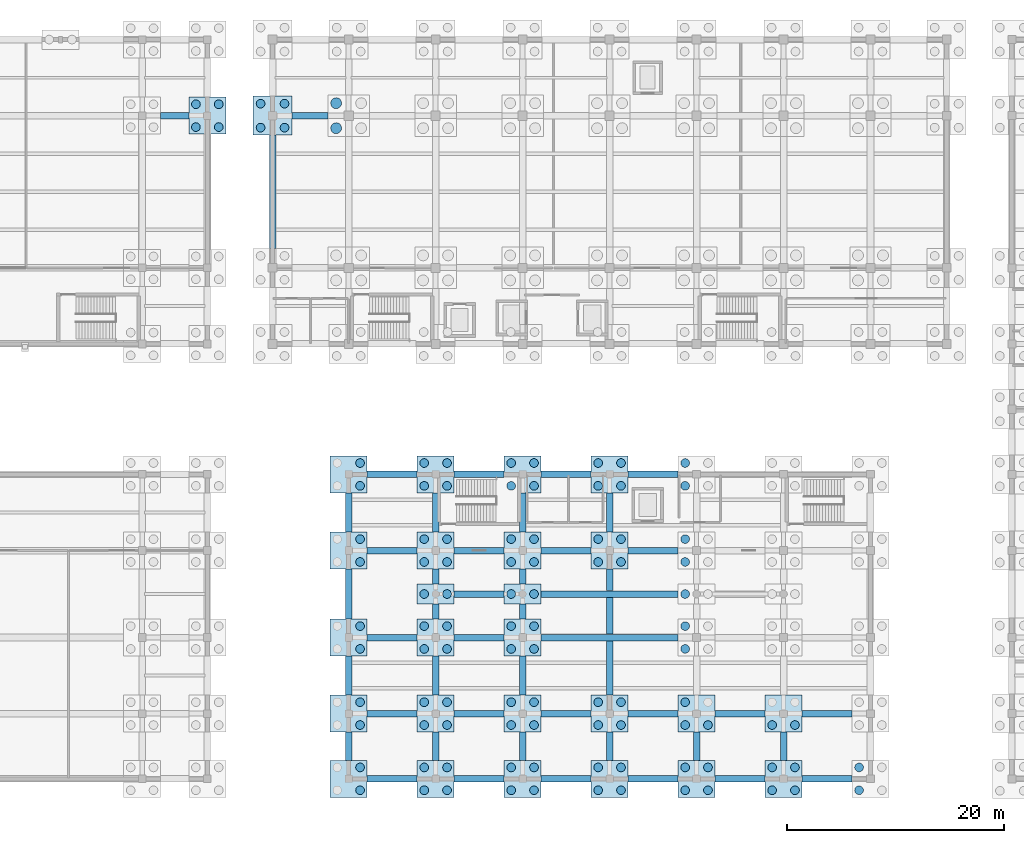
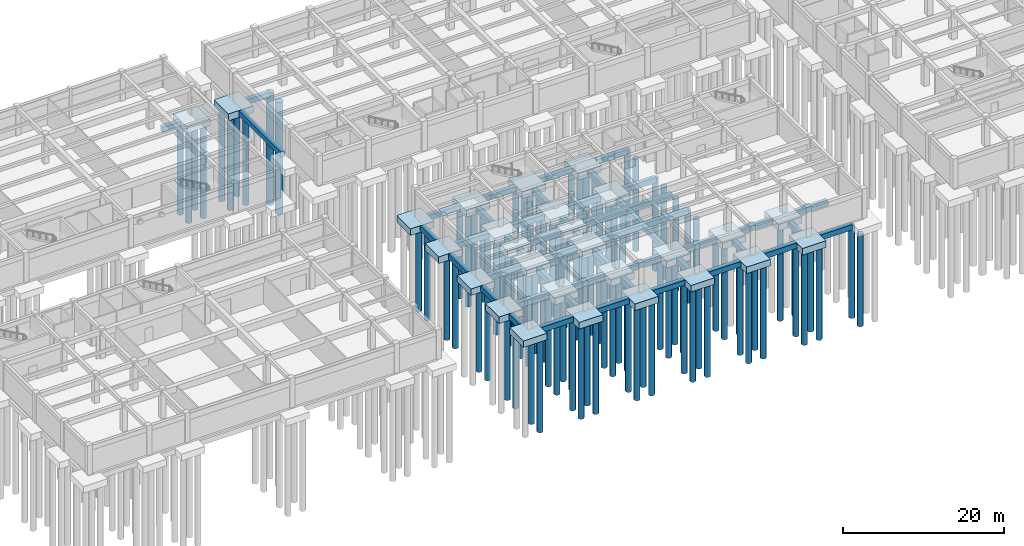
# One storey, part 3 of 28: 102 piles, 76 footings.
"""IFC4 building model written with IfcOpenShell, lengths in metres."""

from ifc_helpers import new_model, si_unit, direction, frame, origin, origin_2d, place, context, subcontext, project, spatial, rectangle, circle, extrude, material, material_profile, profile_set, type_object, element, save


model = new_model("IFC4")

# Units and contexts
model_context = context("Model", 3, precision=1e-05, world=origin(), true_north=direction((0.0, 1.0)))
body_context = subcontext(model_context, "Body", "Model", "MODEL_VIEW")
ifc_project = project(units=[si_unit("LENGTHUNIT", "METRE"), si_unit("AREAUNIT", "SQUARE_METRE"), si_unit("VOLUMEUNIT", "CUBIC_METRE"), si_unit("PLANEANGLEUNIT", "RADIAN"), si_unit("MASSUNIT", "GRAM", prefix="KILO")], contexts=[model_context])

# Site, building, storey
site_placement = place(None, origin())
site = spatial("IfcSite", under=ifc_project, at=site_placement, CompositionType="ELEMENT")
building_placement = place(site_placement, origin())
building = spatial("IfcBuilding", under=site, at=building_placement, Name="Naurynzar Civic Courthouse", CompositionType="ELEMENT")
storey_placement = place(building_placement, frame((0.0, 0.0, -4.5)))
storey = spatial("IfcBuildingStorey", under=building, at=storey_placement, Name="B01", CompositionType="ELEMENT", Elevation=-4.5)

# Footings
ifc_material_1 = material(Name="Concrete C35/45", Category="concrete")
footing_type_1 = type_object("IfcFootingType", Name="CAP-2A-3400x1800", PredefinedType="PILE_CAP", material=ifc_material_1)
for number, where, z_axis, x_axis, name in (
    (1, (77.0, 21.0, -1.39990234375), (0.0, 0.0, 1.0), (1.0, 0.0, 0.0), "V3 pile cap 35"),
    (2, (85.0, 21.0, -1.39990234375), (0.0, 0.0, 1.0), (1.0, 0.0, 0.0), "V3 pile cap 36"),
):
    element("IfcFooting", number, at=place(storey_placement, frame(where, z_axis=z_axis, x_axis=x_axis)), inside=storey, type_object=footing_type_1, Name=name, PredefinedType="PILE_CAP", context=body_context, shape_type="SweptSolid", body=[
        extrude(rectangle(XDim=3.39990234375, YDim=1.800048828125, at=origin_2d()), origin(), (0.0, 0.0, 1.0), 1.0),
    ])
ifc_material_2 = material(Name="Concrete C35/45", Category="concrete")
footing_type_2 = type_object("IfcFootingType", Name="CAP-4A-3400", PredefinedType="PILE_CAP", material=ifc_material_2)
for number, where, z_axis, x_axis, name in (
    (3, (56.0, 65.0, -1.39990234375), (0.0, 0.0, 1.0), (1.0, 0.0, 0.0), "V1 pile cap 23"),
    (4, (69.0, 4.0, -1.39990234375), (0.0, 0.0, 1.0), (1.0, 0.0, 0.0), "V3 pile cap 1"),
    (5, (69.0, 10.0, -1.39990234375), (0.0, 0.0, 1.0), (1.0, 0.0, 0.0), "V3 pile cap 2"),
    (6, (69.0, 17.0, -1.39990234375), (0.0, 0.0, 1.0), (1.0, 0.0, 0.0), "V3 pile cap 3"),
    (7, (69.0, 25.0, -1.39990234375), (0.0, 0.0, 1.0), (1.0, 0.0, 0.0), "V3 pile cap 4"),
    (8, (69.0, 32.0, -1.39990234375), (0.0, 0.0, 1.0), (1.0, 0.0, 0.0), "V3 pile cap 5"),
    (9, (77.0, 4.0, -1.39990234375), (0.0, 0.0, 1.0), (1.0, 0.0, 0.0), "V3 pile cap 6"),
    (10, (77.0, 10.0, -1.39990234375), (0.0, 0.0, 1.0), (1.0, 0.0, 0.0), "V3 pile cap 7"),
    (11, (77.0, 17.0, -1.39990234375), (0.0, 0.0, 1.0), (1.0, 0.0, 0.0), "V3 pile cap 8"),
    (12, (77.0, 25.0, -1.39990234375), (0.0, 0.0, 1.0), (1.0, 0.0, 0.0), "V3 pile cap 9"),
    (13, (77.0, 32.0, -1.39990234375), (0.0, 0.0, 1.0), (1.0, 0.0, 0.0), "V3 pile cap 10"),
    (14, (85.0, 4.0, -1.39990234375), (0.0, 0.0, 1.0), (1.0, 0.0, 0.0), "V3 pile cap 11"),
    (15, (85.0, 10.0, -1.39990234375), (0.0, 0.0, 1.0), (1.0, 0.0, 0.0), "V3 pile cap 12"),
    (16, (85.0, 17.0, -1.39990234375), (0.0, 0.0, 1.0), (1.0, 0.0, 0.0), "V3 pile cap 13"),
    (17, (85.0, 25.0, -1.39990234375), (0.0, 0.0, 1.0), (1.0, 0.0, 0.0), "V3 pile cap 14"),
    (18, (85.0, 32.0, -1.39990234375), (0.0, 0.0, 1.0), (1.0, 0.0, 0.0), "V3 pile cap 15"),
    (19, (93.0, 4.0, -1.39990234375), (0.0, 0.0, 1.0), (1.0, 0.0, 0.0), "V3 pile cap 16"),
    (20, (93.0, 10.0, -1.39990234375), (0.0, 0.0, 1.0), (1.0, 0.0, 0.0), "V3 pile cap 17"),
    (21, (93.0, 25.0, -1.39990234375), (0.0, 0.0, 1.0), (1.0, 0.0, 0.0), "V3 pile cap 18"),
    (22, (93.0, 32.0, -1.39990234375), (0.0, 0.0, 1.0), (1.0, 0.0, 0.0), "V3 pile cap 19"),
    (23, (101.0, 4.0, -1.39990234375), (0.0, 0.0, 1.0), (1.0, 0.0, 0.0), "V3 pile cap 20"),
    (24, (101.0, 10.0, -1.39990234375), (0.0, 0.0, 1.0), (1.0, 0.0, 0.0), "V3 pile cap 21"),
    (25, (109.0, 4.0, -1.39990234375), (0.0, 0.0, 1.0), (1.0, 0.0, 0.0), "V3 pile cap 25"),
    (26, (109.0, 10.0, -1.39990234375), (0.0, 0.0, 1.0), (1.0, 0.0, 0.0), "V3 pile cap 26"),
):
    element("IfcFooting", number, at=place(storey_placement, frame(where, z_axis=z_axis, x_axis=x_axis)), inside=storey, type_object=footing_type_2, Name=name, PredefinedType="PILE_CAP", context=body_context, shape_type="SweptSolid", body=[
        extrude(rectangle(XDim=3.39990234375, YDim=3.39990234375, at=origin_2d()), origin(), (0.0, 0.0, 1.0), 1.0),
    ])
ifc_material_3 = material(Name="Concrete C35/45", Category="concrete")
footing_type_3 = type_object("IfcFootingType", Name="CAP-4C-3600", PredefinedType="PILE_CAP", material=ifc_material_3)
footing_1_placement = place(storey_placement, frame((62.0, 65.0, -1.5), z_axis=(0.0, 0.0, 1.0), x_axis=(1.0, 0.0, 0.0)))
element("IfcFooting", 27, at=footing_1_placement, inside=storey, type_object=footing_type_3, Name="V2 pile cap 3", PredefinedType="PILE_CAP", context=body_context, shape_type="SweptSolid", body=[
    extrude(rectangle(XDim=3.60009765625, YDim=3.60009765625, at=origin_2d()), origin(), (0.0, 0.0, 1.0), 1.050048828125),
])
ifc_material_4 = material(Name="Concrete C35/45", Category="concrete")
ifc_material_profile_1 = material_profile(ifc_material_4, rectangle(XDim=0.60009765625, YDim=0.800048828125, at=origin_2d()), Name="GB 600x800")
ifc_profile_set_1 = profile_set([ifc_material_profile_1], Name="Concrete C35/45")
footing_type_4 = type_object("IfcFootingType", Name="GB-600x800", PredefinedType="FOOTING_BEAM", material=ifc_profile_set_1)
footing_2_placement = place(storey_placement, frame((51.699951171875, 65.0, -0.800048828125), z_axis=(1.0, 0.0, 0.0), x_axis=(0.0, 1.0, 0.0)))
element("IfcFooting", 28, at=footing_2_placement, inside=storey, type_object=footing_type_4, Name="V1 ground tie beam X-15", PredefinedType="FOOTING_BEAM", context=body_context, shape_type="SweptSolid", body=[
    extrude(rectangle(XDim=0.60009765625, YDim=0.800048828125, at=origin_2d()), origin(), (0.0, 0.0, 1.0), 2.60009765625),
])
footing_3_placement = place(storey_placement, frame((63.800048828125, 65.0, -0.85009765625), z_axis=(1.0, 0.0, 0.0), x_axis=(0.0, 1.0, 0.0)))
element("IfcFooting", 29, at=footing_3_placement, inside=storey, type_object=footing_type_4, Name="V2 ground tie beam X-17", PredefinedType="FOOTING_BEAM", context=body_context, shape_type="SweptSolid", body=[
    extrude(rectangle(XDim=0.60009765625, YDim=0.800048828125, at=origin_2d()), origin(), (0.0, 0.0, 1.0), 3.300048828125),
])
footing_4_placement = place(storey_placement, frame((62.0, 52.800048828125, -0.85009765625), z_axis=(0.0, 1.0, 0.0), x_axis=(-1.0, 0.0, 0.0)))
element("IfcFooting", 30, at=footing_4_placement, inside=storey, type_object=footing_type_4, Name="V2 ground tie beam Y-34", PredefinedType="FOOTING_BEAM", context=body_context, shape_type="SweptSolid", body=[
    extrude(rectangle(XDim=0.60009765625, YDim=0.800048828125, at=origin_2d()), origin(), (0.0, 0.0, 1.0), 10.39990234375),
])
for number, where, z_axis, x_axis, name in (
    (31, (70.699951171875, 4.0, -0.800048828125), (1.0, 0.0, 0.0), (0.0, 1.0, 0.0), "V3 ground tie beam X-1"),
    (32, (78.699951171875, 4.0, -0.800048828125), (1.0, 0.0, 0.0), (0.0, 1.0, 0.0), "V3 ground tie beam X-2"),
    (33, (86.699951171875, 4.0, -0.800048828125), (1.0, 0.0, 0.0), (0.0, 1.0, 0.0), "V3 ground tie beam X-3"),
    (34, (94.699951171875, 4.0, -0.800048828125), (1.0, 0.0, 0.0), (0.0, 1.0, 0.0), "V3 ground tie beam X-4"),
    (35, (102.699951171875, 4.0, -0.800048828125), (1.0, 0.0, 0.0), (0.0, 1.0, 0.0), "V3 ground tie beam X-5"),
    (36, (110.699951171875, 4.0, -0.800048828125), (1.0, 0.0, 0.0), (0.0, 1.0, 0.0), "V3 ground tie beam X-6"),
    (37, (70.699951171875, 10.0, -0.800048828125), (1.0, 0.0, 0.0), (0.0, 1.0, 0.0), "V3 ground tie beam X-7"),
    (38, (78.699951171875, 10.0, -0.800048828125), (1.0, 0.0, 0.0), (0.0, 1.0, 0.0), "V3 ground tie beam X-8"),
    (39, (86.699951171875, 10.0, -0.800048828125), (1.0, 0.0, 0.0), (0.0, 1.0, 0.0), "V3 ground tie beam X-9"),
    (40, (94.699951171875, 10.0, -0.800048828125), (1.0, 0.0, 0.0), (0.0, 1.0, 0.0), "V3 ground tie beam X-10"),
    (41, (102.699951171875, 10.0, -0.800048828125), (1.0, 0.0, 0.0), (0.0, 1.0, 0.0), "V3 ground tie beam X-11"),
    (42, (110.699951171875, 10.0, -0.800048828125), (1.0, 0.0, 0.0), (0.0, 1.0, 0.0), "V3 ground tie beam X-12"),
    (43, (70.699951171875, 17.0, -0.800048828125), (1.0, 0.0, 0.0), (0.0, 1.0, 0.0), "V3 ground tie beam X-13"),
    (44, (78.699951171875, 17.0, -0.800048828125), (1.0, 0.0, 0.0), (0.0, 1.0, 0.0), "V3 ground tie beam X-14"),
):
    element("IfcFooting", number, at=place(storey_placement, frame(where, z_axis=z_axis, x_axis=x_axis)), inside=storey, type_object=footing_type_4, Name=name, PredefinedType="FOOTING_BEAM", context=body_context, shape_type="SweptSolid", body=[
        extrude(rectangle(XDim=0.60009765625, YDim=0.800048828125, at=origin_2d()), origin(), (0.0, 0.0, 1.0), 4.60009765625),
    ])
footing_5_placement = place(storey_placement, frame((86.699951171875, 17.0, -0.800048828125), z_axis=(1.0, 0.0, 0.0), x_axis=(0.0, 1.0, 0.0)))
element("IfcFooting", 45, at=footing_5_placement, inside=storey, type_object=footing_type_4, Name="V3 ground tie beam X-15", PredefinedType="FOOTING_BEAM", context=body_context, shape_type="SweptSolid", body=[
    extrude(rectangle(XDim=0.60009765625, YDim=0.800048828125, at=origin_2d()), origin(), (0.0, 0.0, 1.0), 12.60009765625),
])
footing_6_placement = place(storey_placement, frame((78.699951171875, 21.0, -0.800048828125), z_axis=(1.0, 0.0, 0.0), x_axis=(0.0, 1.0, 0.0)))
element("IfcFooting", 46, at=footing_6_placement, inside=storey, type_object=footing_type_4, Name="V3 ground tie beam X-18", PredefinedType="FOOTING_BEAM", context=body_context, shape_type="SweptSolid", body=[
    extrude(rectangle(XDim=0.60009765625, YDim=0.800048828125, at=origin_2d()), origin(), (0.0, 0.0, 1.0), 4.60009765625),
])
footing_7_placement = place(storey_placement, frame((86.699951171875, 21.0, -0.800048828125), z_axis=(1.0, 0.0, 0.0), x_axis=(0.0, 1.0, 0.0)))
element("IfcFooting", 47, at=footing_7_placement, inside=storey, type_object=footing_type_4, Name="V3 ground tie beam X-19", PredefinedType="FOOTING_BEAM", context=body_context, shape_type="SweptSolid", body=[
    extrude(rectangle(XDim=0.60009765625, YDim=0.800048828125, at=origin_2d()), origin(), (0.0, 0.0, 1.0), 12.60009765625),
])
for number, where, z_axis, x_axis, name in (
    (48, (70.699951171875, 25.0, -0.800048828125), (1.0, 0.0, 0.0), (0.0, 1.0, 0.0), "V3 ground tie beam X-21"),
    (49, (78.699951171875, 25.0, -0.800048828125), (1.0, 0.0, 0.0), (0.0, 1.0, 0.0), "V3 ground tie beam X-22"),
    (50, (86.699951171875, 25.0, -0.800048828125), (1.0, 0.0, 0.0), (0.0, 1.0, 0.0), "V3 ground tie beam X-23"),
    (51, (94.699951171875, 25.0, -0.800048828125), (1.0, 0.0, 0.0), (0.0, 1.0, 0.0), "V3 ground tie beam X-24"),
    (52, (70.699951171875, 32.0, -0.800048828125), (1.0, 0.0, 0.0), (0.0, 1.0, 0.0), "V3 ground tie beam X-27"),
    (53, (78.699951171875, 32.0, -0.800048828125), (1.0, 0.0, 0.0), (0.0, 1.0, 0.0), "V3 ground tie beam X-28"),
    (54, (86.699951171875, 32.0, -0.800048828125), (1.0, 0.0, 0.0), (0.0, 1.0, 0.0), "V3 ground tie beam X-29"),
    (55, (94.699951171875, 32.0, -0.800048828125), (1.0, 0.0, 0.0), (0.0, 1.0, 0.0), "V3 ground tie beam X-30"),
):
    element("IfcFooting", number, at=place(storey_placement, frame(where, z_axis=z_axis, x_axis=x_axis)), inside=storey, type_object=footing_type_4, Name=name, PredefinedType="FOOTING_BEAM", context=body_context, shape_type="SweptSolid", body=[
        extrude(rectangle(XDim=0.60009765625, YDim=0.800048828125, at=origin_2d()), origin(), (0.0, 0.0, 1.0), 4.60009765625),
    ])
footing_8_placement = place(storey_placement, frame((69.0, 5.699951171875, -0.800048828125), z_axis=(0.0, 1.0, 0.0), x_axis=(-1.0, 0.0, 0.0)))
element("IfcFooting", 56, at=footing_8_placement, inside=storey, type_object=footing_type_4, Name="V3 ground tie beam Y-33", PredefinedType="FOOTING_BEAM", context=body_context, shape_type="SweptSolid", body=[
    extrude(rectangle(XDim=0.60009765625, YDim=0.800048828125, at=origin_2d()), origin(), (0.0, 0.0, 1.0), 2.60009765625),
])
footing_9_placement = place(storey_placement, frame((69.0, 11.699951171875, -0.800048828125), z_axis=(0.0, 1.0, 0.0), x_axis=(-1.0, 0.0, 0.0)))
element("IfcFooting", 57, at=footing_9_placement, inside=storey, type_object=footing_type_4, Name="V3 ground tie beam Y-34", PredefinedType="FOOTING_BEAM", context=body_context, shape_type="SweptSolid", body=[
    extrude(rectangle(XDim=0.60009765625, YDim=0.800048828125, at=origin_2d()), origin(), (0.0, 0.0, 1.0), 3.60009765625),
])
footing_10_placement = place(storey_placement, frame((69.0, 18.699951171875, -0.800048828125), z_axis=(0.0, 1.0, 0.0), x_axis=(-1.0, 0.0, 0.0)))
element("IfcFooting", 58, at=footing_10_placement, inside=storey, type_object=footing_type_4, Name="V3 ground tie beam Y-35", PredefinedType="FOOTING_BEAM", context=body_context, shape_type="SweptSolid", body=[
    extrude(rectangle(XDim=0.60009765625, YDim=0.800048828125, at=origin_2d()), origin(), (0.0, 0.0, 1.0), 4.60009765625),
])
footing_11_placement = place(storey_placement, frame((69.0, 26.699951171875, -0.800048828125), z_axis=(0.0, 1.0, 0.0), x_axis=(-1.0, 0.0, 0.0)))
element("IfcFooting", 59, at=footing_11_placement, inside=storey, type_object=footing_type_4, Name="V3 ground tie beam Y-36", PredefinedType="FOOTING_BEAM", context=body_context, shape_type="SweptSolid", body=[
    extrude(rectangle(XDim=0.60009765625, YDim=0.800048828125, at=origin_2d()), origin(), (0.0, 0.0, 1.0), 3.60009765625),
])
footing_12_placement = place(storey_placement, frame((77.0, 5.699951171875, -0.800048828125), z_axis=(0.0, 1.0, 0.0), x_axis=(-1.0, 0.0, 0.0)))
element("IfcFooting", 60, at=footing_12_placement, inside=storey, type_object=footing_type_4, Name="V3 ground tie beam Y-37", PredefinedType="FOOTING_BEAM", context=body_context, shape_type="SweptSolid", body=[
    extrude(rectangle(XDim=0.60009765625, YDim=0.800048828125, at=origin_2d()), origin(), (0.0, 0.0, 1.0), 2.60009765625),
])
footing_13_placement = place(storey_placement, frame((77.0, 11.699951171875, -0.800048828125), z_axis=(0.0, 1.0, 0.0), x_axis=(-1.0, 0.0, 0.0)))
element("IfcFooting", 61, at=footing_13_placement, inside=storey, type_object=footing_type_4, Name="V3 ground tie beam Y-38", PredefinedType="FOOTING_BEAM", context=body_context, shape_type="SweptSolid", body=[
    extrude(rectangle(XDim=0.60009765625, YDim=0.800048828125, at=origin_2d()), origin(), (0.0, 0.0, 1.0), 3.60009765625),
])
for number, where, z_axis, x_axis, name in (
    (62, (77.0, 18.699951171875, -0.800048828125), (0.0, 1.0, 0.0), (-1.0, 0.0, 0.0), "V3 ground tie beam Y-39"),
    (63, (77.0, 21.89990234375, -0.800048828125), (0.0, 1.0, 0.0), (-1.0, 0.0, 0.0), "V3 ground tie beam Y-40"),
):
    element("IfcFooting", number, at=place(storey_placement, frame(where, z_axis=z_axis, x_axis=x_axis)), inside=storey, type_object=footing_type_4, Name=name, PredefinedType="FOOTING_BEAM", context=body_context, shape_type="SweptSolid", body=[
        extrude(rectangle(XDim=0.60009765625, YDim=0.800048828125, at=origin_2d()), origin(), (0.0, 0.0, 1.0), 1.400146484375),
    ])
footing_14_placement = place(storey_placement, frame((77.0, 26.699951171875, -0.800048828125), z_axis=(0.0, 1.0, 0.0), x_axis=(-1.0, 0.0, 0.0)))
element("IfcFooting", 64, at=footing_14_placement, inside=storey, type_object=footing_type_4, Name="V3 ground tie beam Y-41", PredefinedType="FOOTING_BEAM", context=body_context, shape_type="SweptSolid", body=[
    extrude(rectangle(XDim=0.60009765625, YDim=0.800048828125, at=origin_2d()), origin(), (0.0, 0.0, 1.0), 3.60009765625),
])
footing_15_placement = place(storey_placement, frame((85.0, 5.699951171875, -0.800048828125), z_axis=(0.0, 1.0, 0.0), x_axis=(-1.0, 0.0, 0.0)))
element("IfcFooting", 65, at=footing_15_placement, inside=storey, type_object=footing_type_4, Name="V3 ground tie beam Y-42", PredefinedType="FOOTING_BEAM", context=body_context, shape_type="SweptSolid", body=[
    extrude(rectangle(XDim=0.60009765625, YDim=0.800048828125, at=origin_2d()), origin(), (0.0, 0.0, 1.0), 2.60009765625),
])
footing_16_placement = place(storey_placement, frame((85.0, 11.699951171875, -0.800048828125), z_axis=(0.0, 1.0, 0.0), x_axis=(-1.0, 0.0, 0.0)))
element("IfcFooting", 66, at=footing_16_placement, inside=storey, type_object=footing_type_4, Name="V3 ground tie beam Y-43", PredefinedType="FOOTING_BEAM", context=body_context, shape_type="SweptSolid", body=[
    extrude(rectangle(XDim=0.60009765625, YDim=0.800048828125, at=origin_2d()), origin(), (0.0, 0.0, 1.0), 3.60009765625),
])
for number, where, z_axis, x_axis, name in (
    (67, (85.0, 18.699951171875, -0.800048828125), (0.0, 1.0, 0.0), (-1.0, 0.0, 0.0), "V3 ground tie beam Y-44"),
    (68, (85.0, 21.89990234375, -0.800048828125), (0.0, 1.0, 0.0), (-1.0, 0.0, 0.0), "V3 ground tie beam Y-45"),
):
    element("IfcFooting", number, at=place(storey_placement, frame(where, z_axis=z_axis, x_axis=x_axis)), inside=storey, type_object=footing_type_4, Name=name, PredefinedType="FOOTING_BEAM", context=body_context, shape_type="SweptSolid", body=[
        extrude(rectangle(XDim=0.60009765625, YDim=0.800048828125, at=origin_2d()), origin(), (0.0, 0.0, 1.0), 1.400146484375),
    ])
footing_17_placement = place(storey_placement, frame((85.0, 26.699951171875, -0.800048828125), z_axis=(0.0, 1.0, 0.0), x_axis=(-1.0, 0.0, 0.0)))
element("IfcFooting", 69, at=footing_17_placement, inside=storey, type_object=footing_type_4, Name="V3 ground tie beam Y-46", PredefinedType="FOOTING_BEAM", context=body_context, shape_type="SweptSolid", body=[
    extrude(rectangle(XDim=0.60009765625, YDim=0.800048828125, at=origin_2d()), origin(), (0.0, 0.0, 1.0), 3.60009765625),
])
footing_18_placement = place(storey_placement, frame((93.0, 5.699951171875, -0.800048828125), z_axis=(0.0, 1.0, 0.0), x_axis=(-1.0, 0.0, 0.0)))
element("IfcFooting", 70, at=footing_18_placement, inside=storey, type_object=footing_type_4, Name="V3 ground tie beam Y-47", PredefinedType="FOOTING_BEAM", context=body_context, shape_type="SweptSolid", body=[
    extrude(rectangle(XDim=0.60009765625, YDim=0.800048828125, at=origin_2d()), origin(), (0.0, 0.0, 1.0), 2.60009765625),
])
footing_19_placement = place(storey_placement, frame((93.0, 11.699951171875, -0.800048828125), z_axis=(0.0, 1.0, 0.0), x_axis=(-1.0, 0.0, 0.0)))
element("IfcFooting", 71, at=footing_19_placement, inside=storey, type_object=footing_type_4, Name="V3 ground tie beam Y-48", PredefinedType="FOOTING_BEAM", context=body_context, shape_type="SweptSolid", body=[
    extrude(rectangle(XDim=0.60009765625, YDim=0.800048828125, at=origin_2d()), origin(), (0.0, 0.0, 1.0), 4.9951171875),
])
footing_20_placement = place(storey_placement, frame((93.0, 17.304931640625, -0.800048828125), z_axis=(0.0, 1.0, 0.0), x_axis=(-1.0, 0.0, 0.0)))
element("IfcFooting", 72, at=footing_20_placement, inside=storey, type_object=footing_type_4, Name="V3 ground tie beam Y-49", PredefinedType="FOOTING_BEAM", context=body_context, shape_type="SweptSolid", body=[
    extrude(rectangle(XDim=0.60009765625, YDim=0.800048828125, at=origin_2d()), origin(), (0.0, 0.0, 1.0), 3.39013671875),
])
footing_21_placement = place(storey_placement, frame((93.0, 21.304931640625, -0.800048828125), z_axis=(0.0, 1.0, 0.0), x_axis=(-1.0, 0.0, 0.0)))
element("IfcFooting", 73, at=footing_21_placement, inside=storey, type_object=footing_type_4, Name="V3 ground tie beam Y-50", PredefinedType="FOOTING_BEAM", context=body_context, shape_type="SweptSolid", body=[
    extrude(rectangle(XDim=0.60009765625, YDim=0.800048828125, at=origin_2d()), origin(), (0.0, 0.0, 1.0), 1.9951171875),
])
footing_22_placement = place(storey_placement, frame((93.0, 26.699951171875, -0.800048828125), z_axis=(0.0, 1.0, 0.0), x_axis=(-1.0, 0.0, 0.0)))
element("IfcFooting", 74, at=footing_22_placement, inside=storey, type_object=footing_type_4, Name="V3 ground tie beam Y-51", PredefinedType="FOOTING_BEAM", context=body_context, shape_type="SweptSolid", body=[
    extrude(rectangle(XDim=0.60009765625, YDim=0.800048828125, at=origin_2d()), origin(), (0.0, 0.0, 1.0), 3.60009765625),
])
for number, where, z_axis, x_axis, name in (
    (75, (101.0, 5.699951171875, -0.800048828125), (0.0, 1.0, 0.0), (-1.0, 0.0, 0.0), "V3 ground tie beam Y-52"),
    (76, (109.0, 5.699951171875, -0.800048828125), (0.0, 1.0, 0.0), (-1.0, 0.0, 0.0), "V3 ground tie beam Y-57"),
):
    element("IfcFooting", number, at=place(storey_placement, frame(where, z_axis=z_axis, x_axis=x_axis)), inside=storey, type_object=footing_type_4, Name=name, PredefinedType="FOOTING_BEAM", context=body_context, shape_type="SweptSolid", body=[
        extrude(rectangle(XDim=0.60009765625, YDim=0.800048828125, at=origin_2d()), origin(), (0.0, 0.0, 1.0), 2.60009765625),
    ])

# Piles
ifc_material_5 = material(Name="Concrete C35/45", Category="concrete")
ifc_material_profile_2 = material_profile(ifc_material_5, circle(Radius=0.5, at=origin_2d()), Name="PILE D1000")
ifc_profile_set_2 = profile_set([ifc_material_profile_2], Name="Concrete C35/45")
pile_type_1 = type_object("IfcPileType", Name="PILE-BORED-D1000", PredefinedType="BORED", material=ifc_profile_set_2)
for number, where, z_axis, x_axis, name in (
    (77, (67.85009765625, 63.85009765625, -1.449951171875), (0.0, 0.0, -1.0), (1.0, 0.0, 0.0), "V2 bored pile 7.1"),
    (78, (67.85009765625, 66.14990234375, -1.449951171875), (0.0, 0.0, -1.0), (1.0, 0.0, 0.0), "V2 bored pile 7.3"),
):
    element("IfcPile", number, at=place(storey_placement, frame(where, z_axis=z_axis, x_axis=x_axis)), inside=storey, type_object=pile_type_1, Name=name, PredefinedType="BORED", context=body_context, shape_type="SweptSolid", body=[
        extrude(circle(Radius=0.5, at=origin_2d()), origin(), (0.0, 0.0, 1.0), 17.0),
    ])
ifc_material_6 = material(Name="Concrete C35/45", Category="concrete")
ifc_material_profile_3 = material_profile(ifc_material_6, circle(Radius=0.39990234375, at=origin_2d()), Name="PILE D800")
ifc_profile_set_3 = profile_set([ifc_material_profile_3], Name="Concrete C35/45")
pile_type_2 = type_object("IfcPileType", Name="PILE-BORED-D800", PredefinedType="BORED", material=ifc_profile_set_3)
for number, where, z_axis, x_axis, name in (
    (79, (54.949951171875, 63.949951171875, -1.39990234375), (0.0, 0.0, -1.0), (1.0, 0.0, 0.0), "V1 bored pile 23.1"),
    (80, (57.050048828125, 63.949951171875, -1.39990234375), (0.0, 0.0, -1.0), (1.0, 0.0, 0.0), "V1 bored pile 23.2"),
    (81, (54.949951171875, 66.050048828125, -1.39990234375), (0.0, 0.0, -1.0), (1.0, 0.0, 0.0), "V1 bored pile 23.3"),
    (82, (57.050048828125, 66.050048828125, -1.39990234375), (0.0, 0.0, -1.0), (1.0, 0.0, 0.0), "V1 bored pile 23.4"),
    (83, (60.89990234375, 63.89990234375, -1.5), (0.0, 0.0, -1.0), (1.0, 0.0, 0.0), "V2 bored pile 3.1"),
    (84, (63.10009765625, 63.89990234375, -1.5), (0.0, 0.0, -1.0), (1.0, 0.0, 0.0), "V2 bored pile 3.2"),
    (85, (60.89990234375, 66.10009765625, -1.5), (0.0, 0.0, -1.0), (1.0, 0.0, 0.0), "V2 bored pile 3.3"),
    (86, (63.10009765625, 66.10009765625, -1.5), (0.0, 0.0, -1.0), (1.0, 0.0, 0.0), "V2 bored pile 3.4"),
    (87, (70.050048828125, 2.949951171875, -1.39990234375), (0.0, 0.0, -1.0), (1.0, 0.0, 0.0), "V3 bored pile 1.2"),
    (88, (70.050048828125, 5.050048828125, -1.39990234375), (0.0, 0.0, -1.0), (1.0, 0.0, 0.0), "V3 bored pile 1.4"),
    (89, (70.050048828125, 8.949951171875, -1.39990234375), (0.0, 0.0, -1.0), (1.0, 0.0, 0.0), "V3 bored pile 2.2"),
    (90, (70.050048828125, 11.050048828125, -1.39990234375), (0.0, 0.0, -1.0), (1.0, 0.0, 0.0), "V3 bored pile 2.4"),
    (91, (70.050048828125, 15.949951171875, -1.39990234375), (0.0, 0.0, -1.0), (1.0, 0.0, 0.0), "V3 bored pile 3.2"),
    (92, (70.050048828125, 18.050048828125, -1.39990234375), (0.0, 0.0, -1.0), (1.0, 0.0, 0.0), "V3 bored pile 3.4"),
    (93, (70.050048828125, 23.949951171875, -1.39990234375), (0.0, 0.0, -1.0), (1.0, 0.0, 0.0), "V3 bored pile 4.2"),
    (94, (70.050048828125, 26.050048828125, -1.39990234375), (0.0, 0.0, -1.0), (1.0, 0.0, 0.0), "V3 bored pile 4.4"),
    (95, (70.050048828125, 30.949951171875, -1.39990234375), (0.0, 0.0, -1.0), (1.0, 0.0, 0.0), "V3 bored pile 5.2"),
    (96, (70.050048828125, 33.050048828125, -1.39990234375), (0.0, 0.0, -1.0), (1.0, 0.0, 0.0), "V3 bored pile 5.4"),
    (97, (75.949951171875, 2.949951171875, -1.39990234375), (0.0, 0.0, -1.0), (1.0, 0.0, 0.0), "V3 bored pile 6.1"),
    (98, (78.050048828125, 2.949951171875, -1.39990234375), (0.0, 0.0, -1.0), (1.0, 0.0, 0.0), "V3 bored pile 6.2"),
    (99, (75.949951171875, 5.050048828125, -1.39990234375), (0.0, 0.0, -1.0), (1.0, 0.0, 0.0), "V3 bored pile 6.3"),
    (100, (78.050048828125, 5.050048828125, -1.39990234375), (0.0, 0.0, -1.0), (1.0, 0.0, 0.0), "V3 bored pile 6.4"),
    (101, (75.949951171875, 8.949951171875, -1.39990234375), (0.0, 0.0, -1.0), (1.0, 0.0, 0.0), "V3 bored pile 7.1"),
    (102, (78.050048828125, 8.949951171875, -1.39990234375), (0.0, 0.0, -1.0), (1.0, 0.0, 0.0), "V3 bored pile 7.2"),
    (103, (75.949951171875, 11.050048828125, -1.39990234375), (0.0, 0.0, -1.0), (1.0, 0.0, 0.0), "V3 bored pile 7.3"),
    (104, (78.050048828125, 11.050048828125, -1.39990234375), (0.0, 0.0, -1.0), (1.0, 0.0, 0.0), "V3 bored pile 7.4"),
    (105, (75.949951171875, 15.949951171875, -1.39990234375), (0.0, 0.0, -1.0), (1.0, 0.0, 0.0), "V3 bored pile 8.1"),
    (106, (78.050048828125, 15.949951171875, -1.39990234375), (0.0, 0.0, -1.0), (1.0, 0.0, 0.0), "V3 bored pile 8.2"),
    (107, (75.949951171875, 18.050048828125, -1.39990234375), (0.0, 0.0, -1.0), (1.0, 0.0, 0.0), "V3 bored pile 8.3"),
    (108, (78.050048828125, 18.050048828125, -1.39990234375), (0.0, 0.0, -1.0), (1.0, 0.0, 0.0), "V3 bored pile 8.4"),
    (109, (75.949951171875, 23.949951171875, -1.39990234375), (0.0, 0.0, -1.0), (1.0, 0.0, 0.0), "V3 bored pile 9.1"),
    (110, (78.050048828125, 23.949951171875, -1.39990234375), (0.0, 0.0, -1.0), (1.0, 0.0, 0.0), "V3 bored pile 9.2"),
    (111, (75.949951171875, 26.050048828125, -1.39990234375), (0.0, 0.0, -1.0), (1.0, 0.0, 0.0), "V3 bored pile 9.3"),
    (112, (78.050048828125, 26.050048828125, -1.39990234375), (0.0, 0.0, -1.0), (1.0, 0.0, 0.0), "V3 bored pile 9.4"),
    (113, (75.949951171875, 30.949951171875, -1.39990234375), (0.0, 0.0, -1.0), (1.0, 0.0, 0.0), "V3 bored pile 10.1"),
    (114, (78.050048828125, 30.949951171875, -1.39990234375), (0.0, 0.0, -1.0), (1.0, 0.0, 0.0), "V3 bored pile 10.2"),
    (115, (75.949951171875, 33.050048828125, -1.39990234375), (0.0, 0.0, -1.0), (1.0, 0.0, 0.0), "V3 bored pile 10.3"),
    (116, (78.050048828125, 33.050048828125, -1.39990234375), (0.0, 0.0, -1.0), (1.0, 0.0, 0.0), "V3 bored pile 10.4"),
    (117, (83.949951171875, 2.949951171875, -1.39990234375), (0.0, 0.0, -1.0), (1.0, 0.0, 0.0), "V3 bored pile 11.1"),
    (118, (86.050048828125, 2.949951171875, -1.39990234375), (0.0, 0.0, -1.0), (1.0, 0.0, 0.0), "V3 bored pile 11.2"),
    (119, (83.949951171875, 5.050048828125, -1.39990234375), (0.0, 0.0, -1.0), (1.0, 0.0, 0.0), "V3 bored pile 11.3"),
    (120, (86.050048828125, 5.050048828125, -1.39990234375), (0.0, 0.0, -1.0), (1.0, 0.0, 0.0), "V3 bored pile 11.4"),
    (121, (83.949951171875, 8.949951171875, -1.39990234375), (0.0, 0.0, -1.0), (1.0, 0.0, 0.0), "V3 bored pile 12.1"),
    (122, (86.050048828125, 8.949951171875, -1.39990234375), (0.0, 0.0, -1.0), (1.0, 0.0, 0.0), "V3 bored pile 12.2"),
    (123, (83.949951171875, 11.050048828125, -1.39990234375), (0.0, 0.0, -1.0), (1.0, 0.0, 0.0), "V3 bored pile 12.3"),
    (124, (86.050048828125, 11.050048828125, -1.39990234375), (0.0, 0.0, -1.0), (1.0, 0.0, 0.0), "V3 bored pile 12.4"),
    (125, (83.949951171875, 15.949951171875, -1.39990234375), (0.0, 0.0, -1.0), (1.0, 0.0, 0.0), "V3 bored pile 13.1"),
    (126, (86.050048828125, 15.949951171875, -1.39990234375), (0.0, 0.0, -1.0), (1.0, 0.0, 0.0), "V3 bored pile 13.2"),
    (127, (83.949951171875, 18.050048828125, -1.39990234375), (0.0, 0.0, -1.0), (1.0, 0.0, 0.0), "V3 bored pile 13.3"),
    (128, (86.050048828125, 18.050048828125, -1.39990234375), (0.0, 0.0, -1.0), (1.0, 0.0, 0.0), "V3 bored pile 13.4"),
    (129, (83.949951171875, 23.949951171875, -1.39990234375), (0.0, 0.0, -1.0), (1.0, 0.0, 0.0), "V3 bored pile 14.1"),
    (130, (86.050048828125, 23.949951171875, -1.39990234375), (0.0, 0.0, -1.0), (1.0, 0.0, 0.0), "V3 bored pile 14.2"),
    (131, (83.949951171875, 26.050048828125, -1.39990234375), (0.0, 0.0, -1.0), (1.0, 0.0, 0.0), "V3 bored pile 14.3"),
    (132, (86.050048828125, 26.050048828125, -1.39990234375), (0.0, 0.0, -1.0), (1.0, 0.0, 0.0), "V3 bored pile 14.4"),
    (133, (83.949951171875, 30.949951171875, -1.39990234375), (0.0, 0.0, -1.0), (1.0, 0.0, 0.0), "V3 bored pile 15.1"),
    (134, (86.050048828125, 30.949951171875, -1.39990234375), (0.0, 0.0, -1.0), (1.0, 0.0, 0.0), "V3 bored pile 15.2"),
    (135, (83.949951171875, 33.050048828125, -1.39990234375), (0.0, 0.0, -1.0), (1.0, 0.0, 0.0), "V3 bored pile 15.3"),
    (136, (86.050048828125, 33.050048828125, -1.39990234375), (0.0, 0.0, -1.0), (1.0, 0.0, 0.0), "V3 bored pile 15.4"),
    (137, (91.949951171875, 2.949951171875, -1.39990234375), (0.0, 0.0, -1.0), (1.0, 0.0, 0.0), "V3 bored pile 16.1"),
    (138, (94.050048828125, 2.949951171875, -1.39990234375), (0.0, 0.0, -1.0), (1.0, 0.0, 0.0), "V3 bored pile 16.2"),
    (139, (91.949951171875, 5.050048828125, -1.39990234375), (0.0, 0.0, -1.0), (1.0, 0.0, 0.0), "V3 bored pile 16.3"),
    (140, (94.050048828125, 5.050048828125, -1.39990234375), (0.0, 0.0, -1.0), (1.0, 0.0, 0.0), "V3 bored pile 16.4"),
    (141, (91.949951171875, 8.949951171875, -1.39990234375), (0.0, 0.0, -1.0), (1.0, 0.0, 0.0), "V3 bored pile 17.1"),
    (142, (94.050048828125, 8.949951171875, -1.39990234375), (0.0, 0.0, -1.0), (1.0, 0.0, 0.0), "V3 bored pile 17.2"),
    (143, (91.949951171875, 11.050048828125, -1.39990234375), (0.0, 0.0, -1.0), (1.0, 0.0, 0.0), "V3 bored pile 17.3"),
    (144, (94.050048828125, 11.050048828125, -1.39990234375), (0.0, 0.0, -1.0), (1.0, 0.0, 0.0), "V3 bored pile 17.4"),
    (145, (91.949951171875, 23.949951171875, -1.39990234375), (0.0, 0.0, -1.0), (1.0, 0.0, 0.0), "V3 bored pile 18.1"),
    (146, (94.050048828125, 23.949951171875, -1.39990234375), (0.0, 0.0, -1.0), (1.0, 0.0, 0.0), "V3 bored pile 18.2"),
    (147, (91.949951171875, 26.050048828125, -1.39990234375), (0.0, 0.0, -1.0), (1.0, 0.0, 0.0), "V3 bored pile 18.3"),
    (148, (94.050048828125, 26.050048828125, -1.39990234375), (0.0, 0.0, -1.0), (1.0, 0.0, 0.0), "V3 bored pile 18.4"),
    (149, (91.949951171875, 30.949951171875, -1.39990234375), (0.0, 0.0, -1.0), (1.0, 0.0, 0.0), "V3 bored pile 19.1"),
    (150, (94.050048828125, 30.949951171875, -1.39990234375), (0.0, 0.0, -1.0), (1.0, 0.0, 0.0), "V3 bored pile 19.2"),
    (151, (91.949951171875, 33.050048828125, -1.39990234375), (0.0, 0.0, -1.0), (1.0, 0.0, 0.0), "V3 bored pile 19.3"),
    (152, (94.050048828125, 33.050048828125, -1.39990234375), (0.0, 0.0, -1.0), (1.0, 0.0, 0.0), "V3 bored pile 19.4"),
    (153, (99.949951171875, 2.949951171875, -1.39990234375), (0.0, 0.0, -1.0), (1.0, 0.0, 0.0), "V3 bored pile 20.1"),
    (154, (102.050048828125, 2.949951171875, -1.39990234375), (0.0, 0.0, -1.0), (1.0, 0.0, 0.0), "V3 bored pile 20.2"),
    (155, (99.949951171875, 5.050048828125, -1.39990234375), (0.0, 0.0, -1.0), (1.0, 0.0, 0.0), "V3 bored pile 20.3"),
    (156, (102.050048828125, 5.050048828125, -1.39990234375), (0.0, 0.0, -1.0), (1.0, 0.0, 0.0), "V3 bored pile 20.4"),
    (157, (99.949951171875, 8.949951171875, -1.39990234375), (0.0, 0.0, -1.0), (1.0, 0.0, 0.0), "V3 bored pile 21.1"),
    (158, (102.050048828125, 8.949951171875, -1.39990234375), (0.0, 0.0, -1.0), (1.0, 0.0, 0.0), "V3 bored pile 21.2"),
    (159, (99.949951171875, 11.050048828125, -1.39990234375), (0.0, 0.0, -1.0), (1.0, 0.0, 0.0), "V3 bored pile 21.3"),
    (160, (99.949951171875, 15.949951171875, -1.39990234375), (0.0, 0.0, -1.0), (1.0, 0.0, 0.0), "V3 bored pile 22.1"),
    (161, (99.949951171875, 18.050048828125, -1.39990234375), (0.0, 0.0, -1.0), (1.0, 0.0, 0.0), "V3 bored pile 22.3"),
    (162, (99.949951171875, 23.949951171875, -1.39990234375), (0.0, 0.0, -1.0), (1.0, 0.0, 0.0), "V3 bored pile 23.1"),
    (163, (99.949951171875, 26.050048828125, -1.39990234375), (0.0, 0.0, -1.0), (1.0, 0.0, 0.0), "V3 bored pile 23.3"),
    (164, (99.949951171875, 30.949951171875, -1.39990234375), (0.0, 0.0, -1.0), (1.0, 0.0, 0.0), "V3 bored pile 24.1"),
    (165, (99.949951171875, 33.050048828125, -1.39990234375), (0.0, 0.0, -1.0), (1.0, 0.0, 0.0), "V3 bored pile 24.3"),
    (166, (107.949951171875, 2.949951171875, -1.39990234375), (0.0, 0.0, -1.0), (1.0, 0.0, 0.0), "V3 bored pile 25.1"),
    (167, (110.050048828125, 2.949951171875, -1.39990234375), (0.0, 0.0, -1.0), (1.0, 0.0, 0.0), "V3 bored pile 25.2"),
    (168, (107.949951171875, 5.050048828125, -1.39990234375), (0.0, 0.0, -1.0), (1.0, 0.0, 0.0), "V3 bored pile 25.3"),
    (169, (110.050048828125, 5.050048828125, -1.39990234375), (0.0, 0.0, -1.0), (1.0, 0.0, 0.0), "V3 bored pile 25.4"),
    (170, (107.949951171875, 8.949951171875, -1.39990234375), (0.0, 0.0, -1.0), (1.0, 0.0, 0.0), "V3 bored pile 26.1"),
    (171, (110.050048828125, 8.949951171875, -1.39990234375), (0.0, 0.0, -1.0), (1.0, 0.0, 0.0), "V3 bored pile 26.2"),
    (172, (115.949951171875, 2.949951171875, -1.39990234375), (0.0, 0.0, -1.0), (1.0, 0.0, 0.0), "V3 bored pile 30.1"),
    (173, (115.949951171875, 5.050048828125, -1.39990234375), (0.0, 0.0, -1.0), (1.0, 0.0, 0.0), "V3 bored pile 30.3"),
    (174, (75.949951171875, 21.0, -1.39990234375), (0.0, 0.0, -1.0), (1.0, 0.0, 0.0), "V3 bored pile 35.1"),
    (175, (78.050048828125, 21.0, -1.39990234375), (0.0, 0.0, -1.0), (1.0, 0.0, 0.0), "V3 bored pile 35.2"),
    (176, (83.949951171875, 21.0, -1.39990234375), (0.0, 0.0, -1.0), (1.0, 0.0, 0.0), "V3 bored pile 36.1"),
    (177, (86.050048828125, 21.0, -1.39990234375), (0.0, 0.0, -1.0), (1.0, 0.0, 0.0), "V3 bored pile 36.2"),
    (178, (99.949951171875, 21.0, -1.39990234375), (0.0, 0.0, -1.0), (1.0, 0.0, 0.0), "V3 bored pile 37.1"),
):
    element("IfcPile", number, at=place(storey_placement, frame(where, z_axis=z_axis, x_axis=x_axis)), inside=storey, type_object=pile_type_2, Name=name, PredefinedType="BORED", context=body_context, shape_type="SweptSolid", body=[
        extrude(circle(Radius=0.39990234375, at=origin_2d()), origin(), (0.0, 0.0, 1.0), 14.0),
    ])

save(model, "model.ifc")
